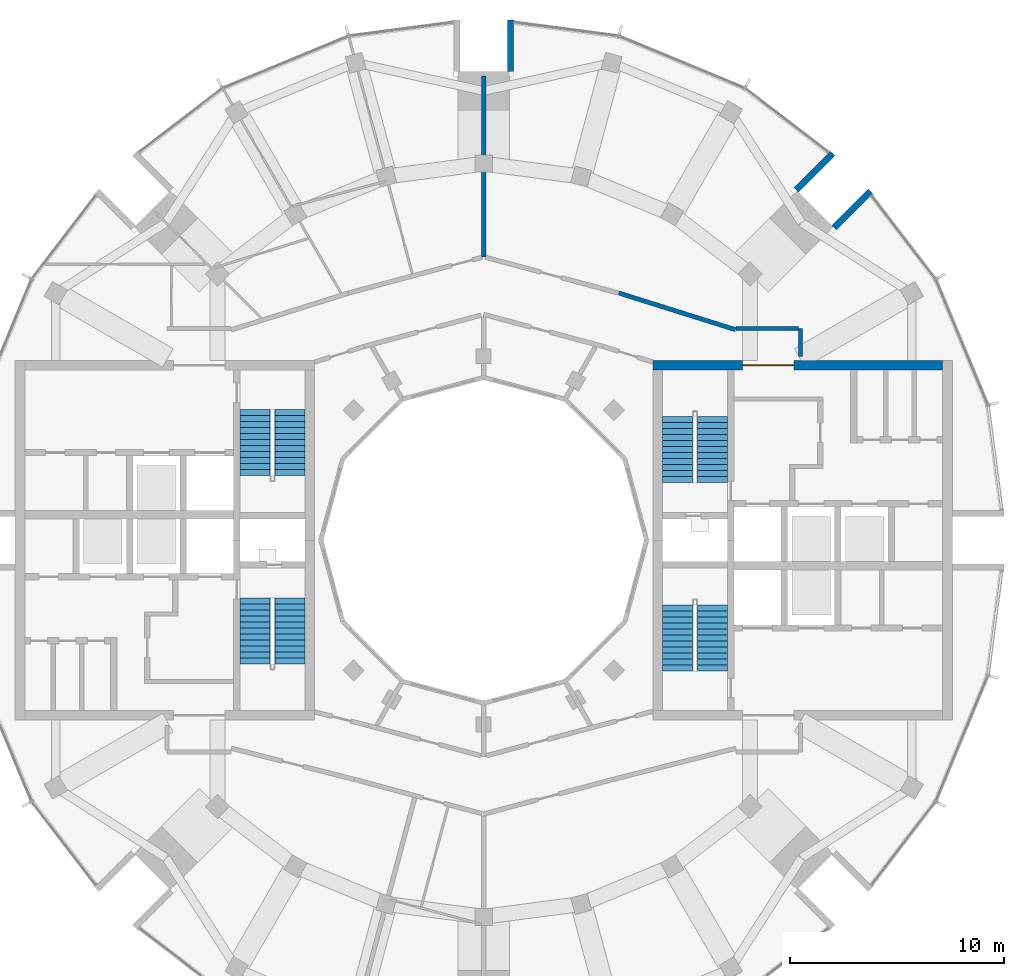
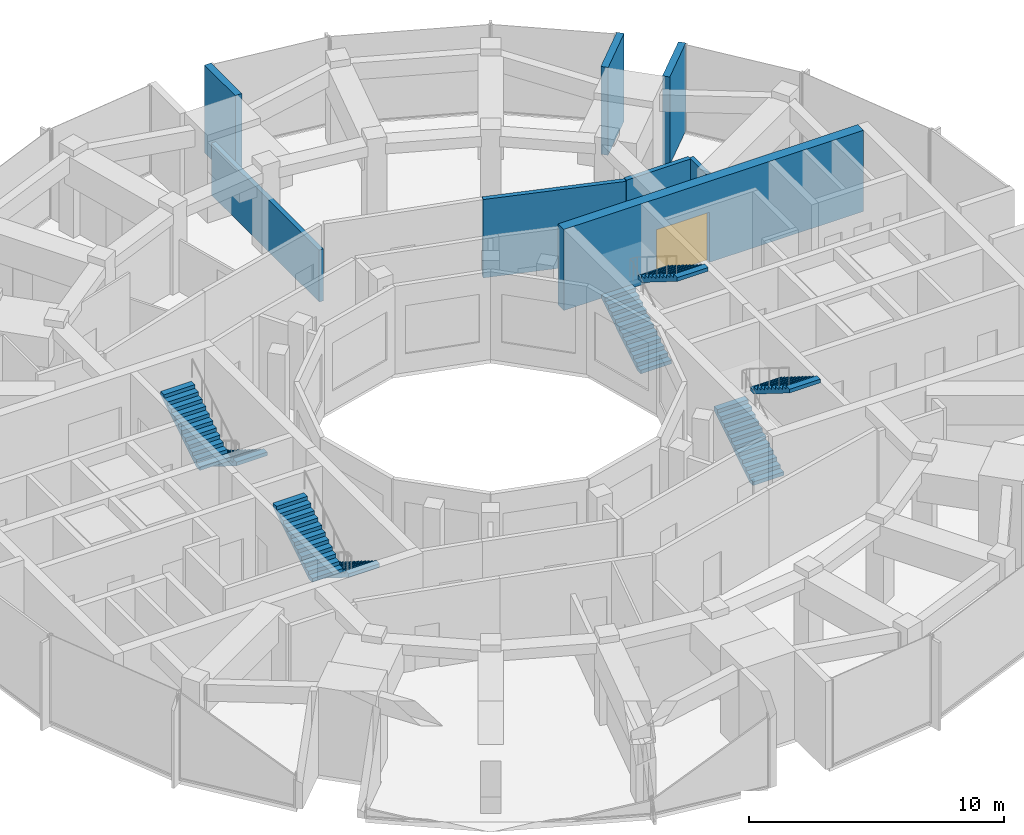
# One storey, part 12 of 14: 8 stair flights, 8 walls, 1 door, 1 opening, 4 elements without a shape of their own.
"""IFC4 building model written with IfcOpenShell, lengths in metres."""

from ifc_helpers import new_model, si_unit, direction, frame, frame_2d, origin, place, context, subcontext, project, spatial, polyline, rectangle, outline, extrude, material, layer, layer_set, type_object, element, fill, aggregate, save


model = new_model("IFC4")

# Units and contexts
model_context = context("Model", 3, precision=1e-05, world=origin(), true_north=direction((0.0, 1.0)))
body_context = subcontext(model_context, "Body", "Model", "MODEL_VIEW")
ifc_project = project(units=[si_unit("LENGTHUNIT", "METRE"), si_unit("AREAUNIT", "SQUARE_METRE"), si_unit("VOLUMEUNIT", "CUBIC_METRE"), si_unit("PLANEANGLEUNIT", "RADIAN"), si_unit("MASSUNIT", "GRAM", prefix="KILO")], contexts=[model_context])

# Site, building, storey
site_placement = place(None, origin())
site = spatial("IfcSite", under=ifc_project, at=site_placement, CompositionType="ELEMENT")
building_placement = place(site_placement, origin())
building = spatial("IfcBuilding", under=site, at=building_placement, Name="Torre Brocal", CompositionType="ELEMENT")
storey_placement = place(building_placement, frame((0.0, 0.0, 288.300048828125)))
storey = spatial("IfcBuildingStorey", under=building, at=storey_placement, Name="L66", CompositionType="ELEMENT", Elevation=288.300048828125)

# Wall, opening, door
ifc_material_1 = material(Name="Concrete C50", Category="concrete")
ifc_layer_1 = layer(ifc_material_1, 0.449951171875)
ifc_layer_set_1 = layer_set([ifc_layer_1], Name="Concrete C50")
wall_type_1 = type_object("IfcWallType", Name="CORE WALL 450 C50", PredefinedType="SHEAR", material=ifc_layer_set_1)
wall_1_placement = place(storey_placement, frame((87.89990234375, 83.175048828125, 0.0), z_axis=(0.0, 0.0, 1.0), x_axis=(1.0, 0.0, 0.0)))
wall_1 = element("IfcWall", 1, at=wall_1_placement, inside=storey, type_object=wall_type_1, Name="Wall CW450-50", PredefinedType="SHEAR", context=body_context, shape_type="SweptSolid", body=[
    extrude(rectangle(XDim=13.550048828125, YDim=0.449951171875, at=frame_2d((6.77490234375, 0.0))), origin(), (0.0, 0.0, 1.0), 3.8798828125),
])
opening_placement = place(wall_1_placement, frame((4.199951171875, 0.0, 0.0)))
opening = element("IfcOpeningElement", 2, at=opening_placement, cuts=wall_1, Name="Opening E-D34", PredefinedType="OPENING", context=body_context, shape_type="SweptSolid", body=[
    extrude(rectangle(XDim=2.39990234375, YDim=2.39990234375, at=frame_2d((1.199951171875, 1.199951171875))), frame((0.0, 0.23486328125, 0.0), z_axis=(0.0, -1.0, 0.0), x_axis=(1.0, 0.0, 0.0)), (0.0, 0.0, 1.0), 0.469970703125),
])
ifc_material_2 = material(Name="Steel A653", Category="steel")
door_type = type_object("IfcDoorType", Name="DOUBLE FIRE DOOR FD90 2400X2400", OperationType="DOUBLE_DOOR_SINGLE_SWING", PredefinedType="DOOR", material=ifc_material_2)
door_placement = place(opening_placement, frame((2.39990234375, 0.0, 0.0), z_axis=(0.0, 0.0, 1.0), x_axis=(-1.0, 0.0, 0.0)))
door = element("IfcDoor", 3, at=door_placement, inside=storey, type_object=door_type, Name="Door E-D34", OperationType="DOUBLE_DOOR_SINGLE_SWING", OverallHeight=2.39990234375, OverallWidth=2.39990234375, PredefinedType="DOOR", context=body_context, shape_type="SweptSolid", body=[
    extrude(rectangle(XDim=2.39990234375, YDim=2.39990234375, at=frame_2d((1.199951171875, 1.199951171875))), frame((0.0, 0.02490234375, 0.0), z_axis=(0.0, -1.0, 0.0), x_axis=(1.0, 0.0, 0.0)), (0.0, 0.0, 1.0), 0.050048828125),
])
fill(opening, door)

# Walls
ifc_material_3 = material(Name="Concrete C50", Category="concrete")
ifc_layer_2 = layer(ifc_material_3, 0.300048828125)
ifc_layer_set_2 = layer_set([ifc_layer_2], Name="Concrete C50")
wall_type_2 = type_object("IfcWallType", Name="NOTCH RETURN WALL 300 C50", PredefinedType="NOTDEFINED", material=ifc_layer_set_2)
for number, where, z_axis, x_axis, name in (
    (4, (96.36962890625, 89.601806640625, 0.0), (0.0, 0.0, 1.0), (0.707106781187, 0.707106781187, 0.0), "NOTCH RETURN WALL"),
    (5, (94.601806640625, 91.36962890625, 0.0), (0.0, 0.0, 1.0), (0.707106781187, 0.707106781187, 0.0), "NOTCH RETURN WALL"),
):
    element("IfcWall", number, at=place(storey_placement, frame(where, z_axis=z_axis, x_axis=x_axis)), inside=storey, type_object=wall_type_2, Name=name, PredefinedType="NOTDEFINED", context=body_context, shape_type="SweptSolid", body=[
        extrude(rectangle(XDim=2.41552734375, YDim=0.300048828125, at=frame_2d((1.207763671875, 0.0))), origin(), (0.0, 0.0, 1.0), 4.199951171875),
    ])
wall_2_placement = place(storey_placement, frame((81.25, 96.89990234375, 0.0), z_axis=(0.0, 0.0, 1.0), x_axis=(0.0, 1.0, 0.0)))
element("IfcWall", 6, at=wall_2_placement, inside=storey, type_object=wall_type_2, Name="NOTCH RETURN WALL", PredefinedType="NOTDEFINED", context=body_context, shape_type="SweptSolid", body=[
    extrude(rectangle(XDim=2.415771484375, YDim=0.300048828125, at=frame_2d((1.2080078125, 0.0))), origin(), (0.0, 0.0, 1.0), 4.199951171875),
])
ifc_material_4 = material(Name="Gypsum board", Category="Gypsum")
ifc_layer_3 = layer(ifc_material_4, 0.199951171875)
ifc_layer_set_3 = layer_set([ifc_layer_3], Name="Gypsum board")
wall_type_3 = type_object("IfcWallType", Name="PARTITION 200 EI60", PredefinedType="PARTITIONING", material=ifc_layer_set_3)
wall_3_placement = place(storey_placement, frame((86.3134765625, 86.55517578125, 0.0), z_axis=(0.0, 0.0, 1.0), x_axis=(0.9540216201, -0.299737799389, 0.0)))
element("IfcWall", 7, at=wall_3_placement, inside=storey, type_object=wall_type_3, Name="FLAT ENTRANCE WALL", PredefinedType="PARTITIONING", context=body_context, shape_type="SweptSolid", body=[
    extrude(rectangle(XDim=5.719482421875, YDim=0.199951171875, at=frame_2d((2.85986328125, 0.0))), origin(), (0.0, 0.0, 1.0), 3.75),
])
wall_4_placement = place(storey_placement, frame((91.800048828125, 84.89990234375, 0.0), z_axis=(0.0, 0.0, 1.0), x_axis=(1.0, 0.0, 0.0)))
element("IfcWall", 8, at=wall_4_placement, inside=storey, type_object=wall_type_3, Name="FLAT ENTRANCE WALL", PredefinedType="PARTITIONING", context=body_context, shape_type="SweptSolid", body=[
    extrude(rectangle(XDim=2.89990234375, YDim=0.199951171875, at=frame_2d((1.449951171875, 0.0))), origin(), (0.0, 0.0, 1.0), 3.75),
])
wall_5_placement = place(storey_placement, frame((94.800048828125, 83.576904296875, 0.0), z_axis=(0.0, 0.0, 1.0), x_axis=(0.0, 1.0, 0.0)))
element("IfcWall", 9, at=wall_5_placement, inside=storey, type_object=wall_type_3, Name="FLAT ENTRANCE WALL", PredefinedType="PARTITIONING", context=body_context, shape_type="SweptSolid", body=[
    extrude(rectangle(XDim=1.322998046875, YDim=0.199951171875, at=frame_2d((0.66162109375, 0.0))), origin(), (0.0, 0.0, 1.0), 3.75),
])
ifc_material_5 = material(Name="Gypsum board", Category="Gypsum")
ifc_layer_4 = layer(ifc_material_5, 0.199951171875)
ifc_layer_set_4 = layer_set([ifc_layer_4], Name="Gypsum board")
wall_type_4 = type_object("IfcWallType", Name="PARTITION 200 EI60 UNDER BEAM 1720", PredefinedType="PARTITIONING", material=ifc_layer_set_4)
wall_6_placement = place(storey_placement, frame((80.0, 88.2470703125, 0.0), z_axis=(0.0, 0.0, 1.0), x_axis=(0.0, 1.0, 0.0)))
element("IfcWall", 10, at=wall_6_placement, inside=storey, type_object=wall_type_4, Name="PARTY PARTITION", PredefinedType="PARTITIONING", context=body_context, shape_type="SweptSolid", body=[
    extrude(rectangle(XDim=8.451904296875, YDim=0.199951171875, at=frame_2d((4.22607421875, 0.0))), origin(), (0.0, 0.0, 1.0), 2.47998046875),
])

# Stair, stair flights
ifc_material_6 = material(Name="Concrete C50", Category="concrete")
stair_type = type_object("IfcStairType", Name="EXIT STAIR", PredefinedType="HALF_TURN_STAIR", material=ifc_material_6)
stair_1_placement = place(storey_placement, origin())
stair_1 = element("IfcStair", 11, at=stair_1_placement, inside=storey, type_object=stair_type, Name="EXIT STAIR ST1", PredefinedType="HALF_TURN_STAIR")
ifc_material_7 = material(Name="Concrete C50", Category="concrete")
ifc_layer_5 = layer(ifc_material_7, 0.14990234375)
ifc_layer_set_5 = layer_set([ifc_layer_5], Name="Concrete C50")
stair_flight_type = type_object("IfcStairFlightType", Name="STAIR FLIGHT", PredefinedType="STRAIGHT", material=ifc_layer_set_5)
stair_flight_1_placement = place(storey_placement, frame((89.050048828125, 77.699951171875, 0.0), z_axis=(0.0, 0.0, 1.0), x_axis=(0.0, 1.0, 0.0)))
stair_flight_1 = element("IfcStairFlight", 12, at=stair_flight_1_placement, type_object=stair_flight_type, Name="ST1 flight 1", NumberOfRisers=12, NumberOfTreads=11, PredefinedType="STRAIGHT", RiserHeight=0.175, TreadLength=0.28, context=body_context, shape_type="SweptSolid", body=[
    extrude(outline(polyline([(0.0, 0.0), (0.0, 0.175048828125), (0.280029296875, 0.175048828125), (0.280029296875, 0.35009765625), (0.56005859375, 0.35009765625), (0.56005859375, 0.52490234375), (0.840087890625, 0.52490234375), (0.840087890625, 0.699951171875), (1.1201171875, 0.699951171875), (1.1201171875, 0.875), (1.39990234375, 0.875), (1.39990234375, 1.050048828125), (1.679931640625, 1.050048828125), (1.679931640625, 1.22509765625), (1.9599609375, 1.22509765625), (1.9599609375, 1.39990234375), (2.239990234375, 1.39990234375), (2.239990234375, 1.574951171875), (2.52001953125, 1.574951171875), (2.52001953125, 1.75), (2.800048828125, 1.75), (2.800048828125, 1.925048828125), (3.080078125, 1.925048828125), (3.080078125, 2.10009765625), (3.080078125, 1.748291015625), (0.28271484375, 0.0), (0.0, 0.0)])), frame((0.0, 0.699951171875, 0.0), z_axis=(0.0, -1.0, 0.0), x_axis=(1.0, 0.0, 0.0)), (0.0, 0.0, 1.0), 1.39990234375),
])
stair_flight_2_placement = place(storey_placement, frame((90.699951171875, 80.780029296875, 2.099853515625), z_axis=(0.0, 0.0, 1.0), x_axis=(0.0, -1.0, 0.0)))
stair_flight_2 = element("IfcStairFlight", 13, at=stair_flight_2_placement, type_object=stair_flight_type, Name="ST1 flight 2", NumberOfRisers=12, NumberOfTreads=11, PredefinedType="STRAIGHT", RiserHeight=0.175, TreadLength=0.28, context=body_context, shape_type="SweptSolid", body=[
    extrude(outline(polyline([(0.0, 0.0), (0.0, 0.175048828125), (0.280029296875, 0.175048828125), (0.280029296875, 0.35009765625), (0.56005859375, 0.35009765625), (0.56005859375, 0.52490234375), (0.840087890625, 0.52490234375), (0.840087890625, 0.699951171875), (1.1201171875, 0.699951171875), (1.1201171875, 0.875), (1.39990234375, 0.875), (1.39990234375, 1.050048828125), (1.679931640625, 1.050048828125), (1.679931640625, 1.22509765625), (1.9599609375, 1.22509765625), (1.9599609375, 1.39990234375), (2.239990234375, 1.39990234375), (2.239990234375, 1.574951171875), (2.52001953125, 1.574951171875), (2.52001953125, 1.75), (2.800048828125, 1.75), (2.800048828125, 1.925048828125), (3.080078125, 1.925048828125), (3.080078125, 2.10009765625), (3.080078125, 1.748291015625), (0.28271484375, 0.0), (0.0, 0.0)])), frame((0.0, 0.699951171875, 0.0), z_axis=(0.0, -1.0, 0.0), x_axis=(1.0, 0.0, 0.0)), (0.0, 0.0, 1.0), 1.39990234375),
])
aggregate(stair_1, [stair_flight_1, stair_flight_2])

stair_2_placement = place(storey_placement, origin())
stair_2 = element("IfcStair", 14, at=stair_2_placement, inside=storey, type_object=stair_type, Name="EXIT STAIR ST2", PredefinedType="HALF_TURN_STAIR")
stair_flight_3_placement = place(storey_placement, frame((89.050048828125, 68.89990234375, 0.0), z_axis=(0.0, 0.0, 1.0), x_axis=(0.0, 1.0, 0.0)))
stair_flight_3 = element("IfcStairFlight", 15, at=stair_flight_3_placement, type_object=stair_flight_type, Name="ST2 flight 1", NumberOfRisers=12, NumberOfTreads=11, PredefinedType="STRAIGHT", RiserHeight=0.175, TreadLength=0.28, context=body_context, shape_type="SweptSolid", body=[
    extrude(outline(polyline([(0.0, 0.0), (0.0, 0.175048828125), (0.280029296875, 0.175048828125), (0.280029296875, 0.35009765625), (0.56005859375, 0.35009765625), (0.56005859375, 0.52490234375), (0.840087890625, 0.52490234375), (0.840087890625, 0.699951171875), (1.1201171875, 0.699951171875), (1.1201171875, 0.875), (1.39990234375, 0.875), (1.39990234375, 1.050048828125), (1.679931640625, 1.050048828125), (1.679931640625, 1.22509765625), (1.9599609375, 1.22509765625), (1.9599609375, 1.39990234375), (2.239990234375, 1.39990234375), (2.239990234375, 1.574951171875), (2.52001953125, 1.574951171875), (2.52001953125, 1.75), (2.800048828125, 1.75), (2.800048828125, 1.925048828125), (3.080078125, 1.925048828125), (3.080078125, 2.10009765625), (3.080078125, 1.748291015625), (0.28271484375, 0.0), (0.0, 0.0)])), frame((0.0, 0.699951171875, 0.0), z_axis=(0.0, -1.0, 0.0), x_axis=(1.0, 0.0, 0.0)), (0.0, 0.0, 1.0), 1.39990234375),
])
stair_flight_4_placement = place(storey_placement, frame((90.699951171875, 71.97998046875, 2.099853515625), z_axis=(0.0, 0.0, 1.0), x_axis=(0.0, -1.0, 0.0)))
stair_flight_4 = element("IfcStairFlight", 16, at=stair_flight_4_placement, type_object=stair_flight_type, Name="ST2 flight 2", NumberOfRisers=12, NumberOfTreads=11, PredefinedType="STRAIGHT", RiserHeight=0.175, TreadLength=0.28, context=body_context, shape_type="SweptSolid", body=[
    extrude(outline(polyline([(0.0, 0.0), (0.0, 0.175048828125), (0.280029296875, 0.175048828125), (0.280029296875, 0.35009765625), (0.56005859375, 0.35009765625), (0.56005859375, 0.52490234375), (0.840087890625, 0.52490234375), (0.840087890625, 0.699951171875), (1.1201171875, 0.699951171875), (1.1201171875, 0.875), (1.39990234375, 0.875), (1.39990234375, 1.050048828125), (1.679931640625, 1.050048828125), (1.679931640625, 1.22509765625), (1.9599609375, 1.22509765625), (1.9599609375, 1.39990234375), (2.239990234375, 1.39990234375), (2.239990234375, 1.574951171875), (2.52001953125, 1.574951171875), (2.52001953125, 1.75), (2.800048828125, 1.75), (2.800048828125, 1.925048828125), (3.080078125, 1.925048828125), (3.080078125, 2.10009765625), (3.080078125, 1.748291015625), (0.28271484375, 0.0), (0.0, 0.0)])), frame((0.0, 0.699951171875, 0.0), z_axis=(0.0, -1.0, 0.0), x_axis=(1.0, 0.0, 0.0)), (0.0, 0.0, 1.0), 1.39990234375),
])
aggregate(stair_2, [stair_flight_3, stair_flight_4])

stair_3_placement = place(storey_placement, origin())
stair_3 = element("IfcStair", 17, at=stair_3_placement, inside=storey, type_object=stair_type, Name="EXIT STAIR ST3", PredefinedType="HALF_TURN_STAIR")
stair_flight_5_placement = place(storey_placement, frame((70.949951171875, 72.300048828125, 0.0), z_axis=(0.0, 0.0, 1.0), x_axis=(0.0, -1.0, 0.0)))
stair_flight_5 = element("IfcStairFlight", 18, at=stair_flight_5_placement, type_object=stair_flight_type, Name="ST3 flight 1", NumberOfRisers=12, NumberOfTreads=11, PredefinedType="STRAIGHT", RiserHeight=0.175, TreadLength=0.28, context=body_context, shape_type="SweptSolid", body=[
    extrude(outline(polyline([(0.0, 0.0), (0.0, 0.175048828125), (0.280029296875, 0.175048828125), (0.280029296875, 0.35009765625), (0.56005859375, 0.35009765625), (0.56005859375, 0.52490234375), (0.840087890625, 0.52490234375), (0.840087890625, 0.699951171875), (1.1201171875, 0.699951171875), (1.1201171875, 0.875), (1.39990234375, 0.875), (1.39990234375, 1.050048828125), (1.679931640625, 1.050048828125), (1.679931640625, 1.22509765625), (1.9599609375, 1.22509765625), (1.9599609375, 1.39990234375), (2.239990234375, 1.39990234375), (2.239990234375, 1.574951171875), (2.52001953125, 1.574951171875), (2.52001953125, 1.75), (2.800048828125, 1.75), (2.800048828125, 1.925048828125), (3.080078125, 1.925048828125), (3.080078125, 2.10009765625), (3.080078125, 1.748291015625), (0.28271484375, 0.0), (0.0, 0.0)])), frame((0.0, 0.699951171875, 0.0), z_axis=(0.0, -1.0, 0.0), x_axis=(1.0, 0.0, 0.0)), (0.0, 0.0, 1.0), 1.39990234375),
])
stair_flight_6_placement = place(storey_placement, frame((69.300048828125, 69.219970703125, 2.099853515625), z_axis=(0.0, 0.0, 1.0), x_axis=(0.0, 1.0, 0.0)))
stair_flight_6 = element("IfcStairFlight", 19, at=stair_flight_6_placement, type_object=stair_flight_type, Name="ST3 flight 2", NumberOfRisers=12, NumberOfTreads=11, PredefinedType="STRAIGHT", RiserHeight=0.175, TreadLength=0.28, context=body_context, shape_type="SweptSolid", body=[
    extrude(outline(polyline([(0.0, 0.0), (0.0, 0.175048828125), (0.280029296875, 0.175048828125), (0.280029296875, 0.35009765625), (0.56005859375, 0.35009765625), (0.56005859375, 0.52490234375), (0.840087890625, 0.52490234375), (0.840087890625, 0.699951171875), (1.1201171875, 0.699951171875), (1.1201171875, 0.875), (1.39990234375, 0.875), (1.39990234375, 1.050048828125), (1.679931640625, 1.050048828125), (1.679931640625, 1.22509765625), (1.9599609375, 1.22509765625), (1.9599609375, 1.39990234375), (2.239990234375, 1.39990234375), (2.239990234375, 1.574951171875), (2.52001953125, 1.574951171875), (2.52001953125, 1.75), (2.800048828125, 1.75), (2.800048828125, 1.925048828125), (3.080078125, 1.925048828125), (3.080078125, 2.10009765625), (3.080078125, 1.748291015625), (0.28271484375, 0.0), (0.0, 0.0)])), frame((0.0, 0.699951171875, 0.0), z_axis=(0.0, -1.0, 0.0), x_axis=(1.0, 0.0, 0.0)), (0.0, 0.0, 1.0), 1.39990234375),
])
aggregate(stair_3, [stair_flight_5, stair_flight_6])

stair_4_placement = place(storey_placement, origin())
stair_4 = element("IfcStair", 20, at=stair_4_placement, inside=storey, type_object=stair_type, Name="EXIT STAIR ST4", PredefinedType="HALF_TURN_STAIR")
stair_flight_7_placement = place(storey_placement, frame((70.949951171875, 81.10009765625, 0.0), z_axis=(0.0, 0.0, 1.0), x_axis=(0.0, -1.0, 0.0)))
stair_flight_7 = element("IfcStairFlight", 21, at=stair_flight_7_placement, type_object=stair_flight_type, Name="ST4 flight 1", NumberOfRisers=12, NumberOfTreads=11, PredefinedType="STRAIGHT", RiserHeight=0.175, TreadLength=0.28, context=body_context, shape_type="SweptSolid", body=[
    extrude(outline(polyline([(0.0, 0.0), (0.0, 0.175048828125), (0.280029296875, 0.175048828125), (0.280029296875, 0.35009765625), (0.56005859375, 0.35009765625), (0.56005859375, 0.52490234375), (0.840087890625, 0.52490234375), (0.840087890625, 0.699951171875), (1.1201171875, 0.699951171875), (1.1201171875, 0.875), (1.39990234375, 0.875), (1.39990234375, 1.050048828125), (1.679931640625, 1.050048828125), (1.679931640625, 1.22509765625), (1.9599609375, 1.22509765625), (1.9599609375, 1.39990234375), (2.239990234375, 1.39990234375), (2.239990234375, 1.574951171875), (2.52001953125, 1.574951171875), (2.52001953125, 1.75), (2.800048828125, 1.75), (2.800048828125, 1.925048828125), (3.080078125, 1.925048828125), (3.080078125, 2.10009765625), (3.080078125, 1.748291015625), (0.28271484375, 0.0), (0.0, 0.0)])), frame((0.0, 0.699951171875, 0.0), z_axis=(0.0, -1.0, 0.0), x_axis=(1.0, 0.0, 0.0)), (0.0, 0.0, 1.0), 1.39990234375),
])
stair_flight_8_placement = place(storey_placement, frame((69.300048828125, 78.02001953125, 2.099853515625), z_axis=(0.0, 0.0, 1.0), x_axis=(0.0, 1.0, 0.0)))
stair_flight_8 = element("IfcStairFlight", 22, at=stair_flight_8_placement, type_object=stair_flight_type, Name="ST4 flight 2", NumberOfRisers=12, NumberOfTreads=11, PredefinedType="STRAIGHT", RiserHeight=0.175, TreadLength=0.28, context=body_context, shape_type="SweptSolid", body=[
    extrude(outline(polyline([(0.0, 0.0), (0.0, 0.175048828125), (0.280029296875, 0.175048828125), (0.280029296875, 0.35009765625), (0.56005859375, 0.35009765625), (0.56005859375, 0.52490234375), (0.840087890625, 0.52490234375), (0.840087890625, 0.699951171875), (1.1201171875, 0.699951171875), (1.1201171875, 0.875), (1.39990234375, 0.875), (1.39990234375, 1.050048828125), (1.679931640625, 1.050048828125), (1.679931640625, 1.22509765625), (1.9599609375, 1.22509765625), (1.9599609375, 1.39990234375), (2.239990234375, 1.39990234375), (2.239990234375, 1.574951171875), (2.52001953125, 1.574951171875), (2.52001953125, 1.75), (2.800048828125, 1.75), (2.800048828125, 1.925048828125), (3.080078125, 1.925048828125), (3.080078125, 2.10009765625), (3.080078125, 1.748291015625), (0.28271484375, 0.0), (0.0, 0.0)])), frame((0.0, 0.699951171875, 0.0), z_axis=(0.0, -1.0, 0.0), x_axis=(1.0, 0.0, 0.0)), (0.0, 0.0, 1.0), 1.39990234375),
])
aggregate(stair_4, [stair_flight_7, stair_flight_8])

save(model, "model.ifc")
